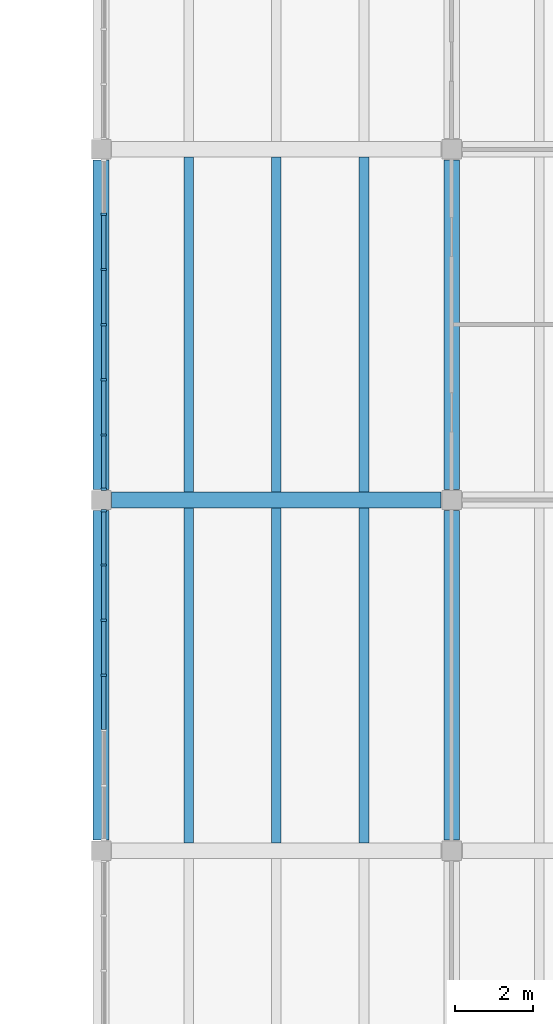
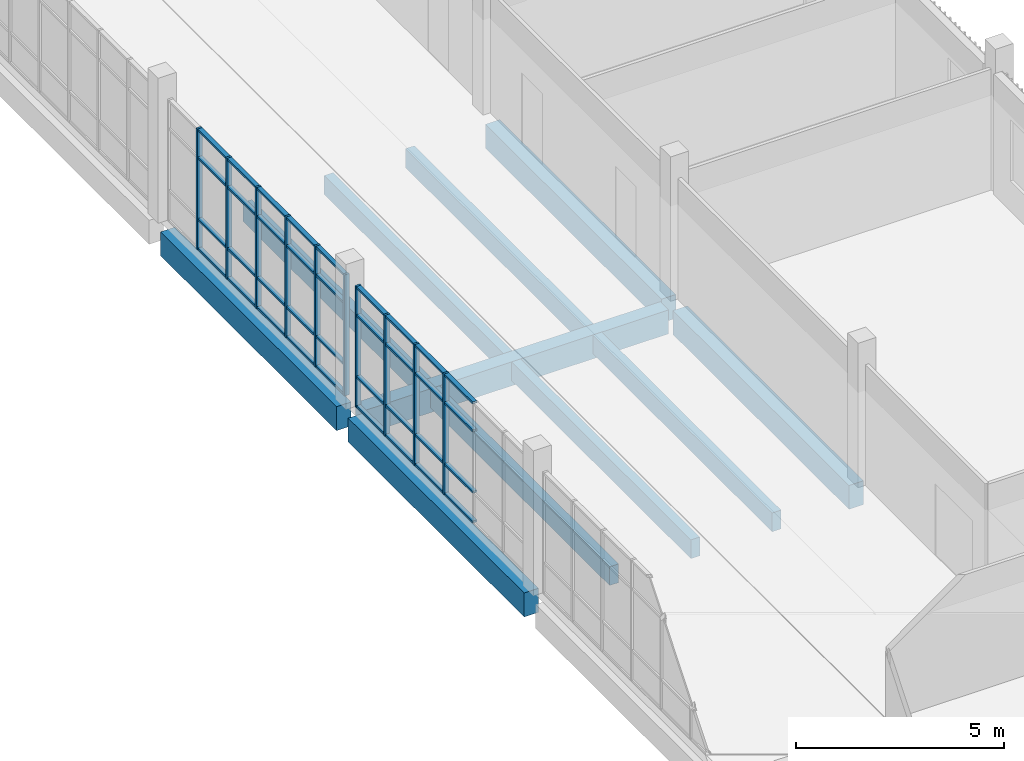
# One storey, part 17 of 92: 46 members, 11 beams, 2 elements without a shape of their own.
"""IFC4 building model written with IfcOpenShell, lengths in metres."""

from ifc_helpers import new_model, si_unit, direction, frame, origin, origin_2d, place, context, subcontext, project, spatial, rectangle, extrude, material, material_profile, profile_set, type_object, element, aggregate, save


model = new_model("IFC4")

# Units and contexts
model_context = context("Model", 3, precision=1e-05, world=origin(), true_north=direction((0.0, 1.0)))
body_context = subcontext(model_context, "Body", "Model", "MODEL_VIEW")
ifc_project = project(units=[si_unit("LENGTHUNIT", "METRE"), si_unit("AREAUNIT", "SQUARE_METRE"), si_unit("VOLUMEUNIT", "CUBIC_METRE"), si_unit("PLANEANGLEUNIT", "RADIAN"), si_unit("MASSUNIT", "GRAM", prefix="KILO")], contexts=[model_context])

# Site, building, storey
site_placement = place(None, origin())
site = spatial("IfcSite", under=ifc_project, at=site_placement, CompositionType="ELEMENT")
building_placement = place(site_placement, origin())
building = spatial("IfcBuilding", under=site, at=building_placement, Name="Merrow Basin Faculty of Sciences", CompositionType="ELEMENT")
storey_placement = place(building_placement, frame((0.0, 0.0, 4.5)))
storey = spatial("IfcBuildingStorey", under=building, at=storey_placement, Name="L01", CompositionType="ELEMENT", Elevation=4.5)

# Curtain wall, members
ifc_material_1 = material(Name="Aluminium alloy 6063", Category="aluminium")
curtain_wall_type = type_object("IfcCurtainWallType", Name="Court curtain wall 140", PredefinedType="NOTDEFINED", material=ifc_material_1)
curtain_wall_1_placement = place(storey_placement, origin())
curtain_wall_1 = element("IfcCurtainWall", 1, at=curtain_wall_1_placement, inside=storey, type_object=curtain_wall_type, Name="Court curtain wall L01 3", PredefinedType="NOTDEFINED")
ifc_material_2 = material(Name="Aluminium alloy 6063", Category="aluminium")
ifc_material_profile_1 = material_profile(ifc_material_2, rectangle(XDim=0.139892578125, YDim=0.06005859375, at=origin_2d()))
ifc_profile_set_1 = profile_set([ifc_material_profile_1], Name="Aluminium alloy 6063")
member_type_1 = type_object("IfcMemberType", Name="Aluminium mullion 60x140", PredefinedType="MULLION", material=ifc_profile_set_1)
member_1_placement = place(storey_placement, frame((54.070068359375, 83.5, 0.0), z_axis=(0.0, 0.0, 1.0), x_axis=(-1.0, 0.0, 0.0)))
member_1 = element("IfcMember", 2, at=member_1_placement, type_object=member_type_1, Name="CW8 mullion 4", PredefinedType="MULLION", context=body_context, shape_type="SweptSolid", body=[
    extrude(rectangle(XDim=0.139892578125, YDim=0.06005859375, at=origin_2d()), origin(), (0.0, 0.0, 1.0), 3.550048828125),
])
member_2_placement = place(storey_placement, frame((54.070068359375, 84.916748046875, 0.0), z_axis=(0.0, 0.0, 1.0), x_axis=(-1.0, 0.0, 0.0)))
member_2 = element("IfcMember", 3, at=member_2_placement, type_object=member_type_1, Name="CW8 mullion 5", PredefinedType="MULLION", context=body_context, shape_type="SweptSolid", body=[
    extrude(rectangle(XDim=0.139892578125, YDim=0.06005859375, at=origin_2d()), origin(), (0.0, 0.0, 1.0), 3.550048828125),
])
member_3_placement = place(storey_placement, frame((54.070068359375, 86.333251953125, 0.0), z_axis=(0.0, 0.0, 1.0), x_axis=(-1.0, 0.0, 0.0)))
member_3 = element("IfcMember", 4, at=member_3_placement, type_object=member_type_1, Name="CW8 mullion 6", PredefinedType="MULLION", context=body_context, shape_type="SweptSolid", body=[
    extrude(rectangle(XDim=0.139892578125, YDim=0.06005859375, at=origin_2d()), origin(), (0.0, 0.0, 1.0), 3.550048828125),
])
member_4_placement = place(storey_placement, frame((54.070068359375, 87.719970703125, 0.0), z_axis=(0.0, 0.0, 1.0), x_axis=(-1.0, 0.0, 0.0)))
member_4 = element("IfcMember", 5, at=member_4_placement, type_object=member_type_1, Name="CW8 mullion 7", PredefinedType="MULLION", context=body_context, shape_type="SweptSolid", body=[
    extrude(rectangle(XDim=0.139892578125, YDim=0.06005859375, at=origin_2d()), origin(), (0.0, 0.0, 1.0), 3.550048828125),
])

curtain_wall_2_placement = place(storey_placement, origin())
curtain_wall_2 = element("IfcCurtainWall", 6, at=curtain_wall_2_placement, inside=storey, type_object=curtain_wall_type, Name="Court curtain wall L01 4", PredefinedType="NOTDEFINED")
member_5_placement = place(storey_placement, frame((54.070068359375, 88.280029296875, 0.0), z_axis=(0.0, 0.0, 1.0), x_axis=(-1.0, 0.0, 0.0)))
member_5 = element("IfcMember", 7, at=member_5_placement, type_object=member_type_1, Name="CW8 mullion 1", PredefinedType="MULLION", context=body_context, shape_type="SweptSolid", body=[
    extrude(rectangle(XDim=0.139892578125, YDim=0.06005859375, at=origin_2d()), origin(), (0.0, 0.0, 1.0), 3.550048828125),
])
member_6_placement = place(storey_placement, frame((54.070068359375, 89.666748046875, 0.0), z_axis=(0.0, 0.0, 1.0), x_axis=(-1.0, 0.0, 0.0)))
member_6 = element("IfcMember", 8, at=member_6_placement, type_object=member_type_1, Name="CW8 mullion 2", PredefinedType="MULLION", context=body_context, shape_type="SweptSolid", body=[
    extrude(rectangle(XDim=0.139892578125, YDim=0.06005859375, at=origin_2d()), origin(), (0.0, 0.0, 1.0), 3.550048828125),
])
member_7_placement = place(storey_placement, frame((54.070068359375, 91.083251953125, 0.0), z_axis=(0.0, 0.0, 1.0), x_axis=(-1.0, 0.0, 0.0)))
member_7 = element("IfcMember", 9, at=member_7_placement, type_object=member_type_1, Name="CW8 mullion 3", PredefinedType="MULLION", context=body_context, shape_type="SweptSolid", body=[
    extrude(rectangle(XDim=0.139892578125, YDim=0.06005859375, at=origin_2d()), origin(), (0.0, 0.0, 1.0), 3.550048828125),
])
member_8_placement = place(storey_placement, frame((54.070068359375, 92.5, 0.0), z_axis=(0.0, 0.0, 1.0), x_axis=(-1.0, 0.0, 0.0)))
member_8 = element("IfcMember", 10, at=member_8_placement, type_object=member_type_1, Name="CW8 mullion 4", PredefinedType="MULLION", context=body_context, shape_type="SweptSolid", body=[
    extrude(rectangle(XDim=0.139892578125, YDim=0.06005859375, at=origin_2d()), origin(), (0.0, 0.0, 1.0), 3.550048828125),
])
member_9_placement = place(storey_placement, frame((54.070068359375, 93.916748046875, 0.0), z_axis=(0.0, 0.0, 1.0), x_axis=(-1.0, 0.0, 0.0)))
member_9 = element("IfcMember", 11, at=member_9_placement, type_object=member_type_1, Name="CW8 mullion 5", PredefinedType="MULLION", context=body_context, shape_type="SweptSolid", body=[
    extrude(rectangle(XDim=0.139892578125, YDim=0.06005859375, at=origin_2d()), origin(), (0.0, 0.0, 1.0), 3.550048828125),
])
member_10_placement = place(storey_placement, frame((54.070068359375, 95.333251953125, 0.0), z_axis=(0.0, 0.0, 1.0), x_axis=(-1.0, 0.0, 0.0)))
member_10 = element("IfcMember", 12, at=member_10_placement, type_object=member_type_1, Name="CW8 mullion 6", PredefinedType="MULLION", context=body_context, shape_type="SweptSolid", body=[
    extrude(rectangle(XDim=0.139892578125, YDim=0.06005859375, at=origin_2d()), origin(), (0.0, 0.0, 1.0), 3.550048828125),
])

# Member
ifc_material_3 = material(Name="Aluminium alloy 6063", Category="aluminium")
ifc_material_profile_2 = material_profile(ifc_material_3, rectangle(XDim=0.1201171875, YDim=0.06005859375, at=origin_2d()))
ifc_profile_set_2 = profile_set([ifc_material_profile_2], Name="Aluminium alloy 6063")
member_type_2 = type_object("IfcMemberType", Name="Aluminium transom 60x120", PredefinedType="USERDEFINED", material=ifc_profile_set_2)
member_11_placement = place(storey_placement, frame((54.070068359375, 82.11328125, 0.030029296875), z_axis=(0.0, 1.0, 0.0), x_axis=(-1.0, 0.0, 0.0)))
member_11 = element("IfcMember", 13, at=member_11_placement, type_object=member_type_2, Name="CW8 transom 3.1", ObjectType="TRANSOM", PredefinedType="USERDEFINED", context=body_context, shape_type="SweptSolid", body=[
    extrude(rectangle(XDim=0.1201171875, YDim=0.06005859375, at=origin_2d()), origin(), (0.0, 0.0, 1.0), 1.356689453125),
])

member_12_placement = place(storey_placement, frame((54.070068359375, 82.11328125, 0.89990234375), z_axis=(0.0, 1.0, 0.0), x_axis=(-1.0, 0.0, 0.0)))
member_12 = element("IfcMember", 14, at=member_12_placement, type_object=member_type_2, Name="CW8 transom 3.2", ObjectType="TRANSOM", PredefinedType="USERDEFINED", context=body_context, shape_type="SweptSolid", body=[
    extrude(rectangle(XDim=0.1201171875, YDim=0.06005859375, at=origin_2d()), origin(), (0.0, 0.0, 1.0), 1.356689453125),
])

member_13_placement = place(storey_placement, frame((54.070068359375, 82.11328125, 2.699951171875), z_axis=(0.0, 1.0, 0.0), x_axis=(-1.0, 0.0, 0.0)))
member_13 = element("IfcMember", 15, at=member_13_placement, type_object=member_type_2, Name="CW8 transom 3.3", ObjectType="TRANSOM", PredefinedType="USERDEFINED", context=body_context, shape_type="SweptSolid", body=[
    extrude(rectangle(XDim=0.1201171875, YDim=0.06005859375, at=origin_2d()), origin(), (0.0, 0.0, 1.0), 1.356689453125),
])

member_14_placement = place(storey_placement, frame((54.070068359375, 82.11328125, 3.52001953125), z_axis=(0.0, 1.0, 0.0), x_axis=(-1.0, 0.0, 0.0)))
member_14 = element("IfcMember", 16, at=member_14_placement, type_object=member_type_2, Name="CW8 transom 3.4", ObjectType="TRANSOM", PredefinedType="USERDEFINED", context=body_context, shape_type="SweptSolid", body=[
    extrude(rectangle(XDim=0.1201171875, YDim=0.06005859375, at=origin_2d()), origin(), (0.0, 0.0, 1.0), 1.356689453125),
])

member_15_placement = place(storey_placement, frame((54.070068359375, 83.530029296875, 0.030029296875), z_axis=(0.0, 1.0, 0.0), x_axis=(-1.0, 0.0, 0.0)))
member_15 = element("IfcMember", 17, at=member_15_placement, type_object=member_type_2, Name="CW8 transom 4.1", ObjectType="TRANSOM", PredefinedType="USERDEFINED", context=body_context, shape_type="SweptSolid", body=[
    extrude(rectangle(XDim=0.1201171875, YDim=0.06005859375, at=origin_2d()), origin(), (0.0, 0.0, 1.0), 1.356689453125),
])

member_16_placement = place(storey_placement, frame((54.070068359375, 83.530029296875, 0.89990234375), z_axis=(0.0, 1.0, 0.0), x_axis=(-1.0, 0.0, 0.0)))
member_16 = element("IfcMember", 18, at=member_16_placement, type_object=member_type_2, Name="CW8 transom 4.2", ObjectType="TRANSOM", PredefinedType="USERDEFINED", context=body_context, shape_type="SweptSolid", body=[
    extrude(rectangle(XDim=0.1201171875, YDim=0.06005859375, at=origin_2d()), origin(), (0.0, 0.0, 1.0), 1.356689453125),
])

member_17_placement = place(storey_placement, frame((54.070068359375, 83.530029296875, 2.699951171875), z_axis=(0.0, 1.0, 0.0), x_axis=(-1.0, 0.0, 0.0)))
member_17 = element("IfcMember", 19, at=member_17_placement, type_object=member_type_2, Name="CW8 transom 4.3", ObjectType="TRANSOM", PredefinedType="USERDEFINED", context=body_context, shape_type="SweptSolid", body=[
    extrude(rectangle(XDim=0.1201171875, YDim=0.06005859375, at=origin_2d()), origin(), (0.0, 0.0, 1.0), 1.356689453125),
])

member_18_placement = place(storey_placement, frame((54.070068359375, 83.530029296875, 3.52001953125), z_axis=(0.0, 1.0, 0.0), x_axis=(-1.0, 0.0, 0.0)))
member_18 = element("IfcMember", 20, at=member_18_placement, type_object=member_type_2, Name="CW8 transom 4.4", ObjectType="TRANSOM", PredefinedType="USERDEFINED", context=body_context, shape_type="SweptSolid", body=[
    extrude(rectangle(XDim=0.1201171875, YDim=0.06005859375, at=origin_2d()), origin(), (0.0, 0.0, 1.0), 1.356689453125),
])

member_19_placement = place(storey_placement, frame((54.070068359375, 84.94677734375, 0.030029296875), z_axis=(0.0, 1.0, 0.0), x_axis=(-1.0, 0.0, 0.0)))
member_19 = element("IfcMember", 21, at=member_19_placement, type_object=member_type_2, Name="CW8 transom 5.1", ObjectType="TRANSOM", PredefinedType="USERDEFINED", context=body_context, shape_type="SweptSolid", body=[
    extrude(rectangle(XDim=0.1201171875, YDim=0.06005859375, at=origin_2d()), origin(), (0.0, 0.0, 1.0), 1.3564453125),
])

member_20_placement = place(storey_placement, frame((54.070068359375, 84.94677734375, 0.89990234375), z_axis=(0.0, 1.0, 0.0), x_axis=(-1.0, 0.0, 0.0)))
member_20 = element("IfcMember", 22, at=member_20_placement, type_object=member_type_2, Name="CW8 transom 5.2", ObjectType="TRANSOM", PredefinedType="USERDEFINED", context=body_context, shape_type="SweptSolid", body=[
    extrude(rectangle(XDim=0.1201171875, YDim=0.06005859375, at=origin_2d()), origin(), (0.0, 0.0, 1.0), 1.3564453125),
])

member_21_placement = place(storey_placement, frame((54.070068359375, 84.94677734375, 2.699951171875), z_axis=(0.0, 1.0, 0.0), x_axis=(-1.0, 0.0, 0.0)))
member_21 = element("IfcMember", 23, at=member_21_placement, type_object=member_type_2, Name="CW8 transom 5.3", ObjectType="TRANSOM", PredefinedType="USERDEFINED", context=body_context, shape_type="SweptSolid", body=[
    extrude(rectangle(XDim=0.1201171875, YDim=0.06005859375, at=origin_2d()), origin(), (0.0, 0.0, 1.0), 1.3564453125),
])

member_22_placement = place(storey_placement, frame((54.070068359375, 84.94677734375, 3.52001953125), z_axis=(0.0, 1.0, 0.0), x_axis=(-1.0, 0.0, 0.0)))
member_22 = element("IfcMember", 24, at=member_22_placement, type_object=member_type_2, Name="CW8 transom 5.4", ObjectType="TRANSOM", PredefinedType="USERDEFINED", context=body_context, shape_type="SweptSolid", body=[
    extrude(rectangle(XDim=0.1201171875, YDim=0.06005859375, at=origin_2d()), origin(), (0.0, 0.0, 1.0), 1.3564453125),
])

member_23_placement = place(storey_placement, frame((54.070068359375, 86.36328125, 0.030029296875), z_axis=(0.0, 1.0, 0.0), x_axis=(-1.0, 0.0, 0.0)))
member_23 = element("IfcMember", 25, at=member_23_placement, type_object=member_type_2, Name="CW8 transom 6.1", ObjectType="TRANSOM", PredefinedType="USERDEFINED", context=body_context, shape_type="SweptSolid", body=[
    extrude(rectangle(XDim=0.1201171875, YDim=0.06005859375, at=origin_2d()), origin(), (0.0, 0.0, 1.0), 1.32666015625),
])

member_24_placement = place(storey_placement, frame((54.070068359375, 86.36328125, 0.89990234375), z_axis=(0.0, 1.0, 0.0), x_axis=(-1.0, 0.0, 0.0)))
member_24 = element("IfcMember", 26, at=member_24_placement, type_object=member_type_2, Name="CW8 transom 6.2", ObjectType="TRANSOM", PredefinedType="USERDEFINED", context=body_context, shape_type="SweptSolid", body=[
    extrude(rectangle(XDim=0.1201171875, YDim=0.06005859375, at=origin_2d()), origin(), (0.0, 0.0, 1.0), 1.32666015625),
])

member_25_placement = place(storey_placement, frame((54.070068359375, 86.36328125, 2.699951171875), z_axis=(0.0, 1.0, 0.0), x_axis=(-1.0, 0.0, 0.0)))
member_25 = element("IfcMember", 27, at=member_25_placement, type_object=member_type_2, Name="CW8 transom 6.3", ObjectType="TRANSOM", PredefinedType="USERDEFINED", context=body_context, shape_type="SweptSolid", body=[
    extrude(rectangle(XDim=0.1201171875, YDim=0.06005859375, at=origin_2d()), origin(), (0.0, 0.0, 1.0), 1.32666015625),
])

member_26_placement = place(storey_placement, frame((54.070068359375, 86.36328125, 3.52001953125), z_axis=(0.0, 1.0, 0.0), x_axis=(-1.0, 0.0, 0.0)))
member_26 = element("IfcMember", 28, at=member_26_placement, type_object=member_type_2, Name="CW8 transom 6.4", ObjectType="TRANSOM", PredefinedType="USERDEFINED", context=body_context, shape_type="SweptSolid", body=[
    extrude(rectangle(XDim=0.1201171875, YDim=0.06005859375, at=origin_2d()), origin(), (0.0, 0.0, 1.0), 1.32666015625),
])

aggregate(curtain_wall_1, [member_1, member_2, member_3, member_4, member_11, member_12, member_13, member_14, member_15, member_16, member_17, member_18, member_19, member_20, member_21, member_22, member_23, member_24, member_25, member_26])

member_27_placement = place(storey_placement, frame((54.070068359375, 88.31005859375, 0.030029296875), z_axis=(0.0, 1.0, 0.0), x_axis=(-1.0, 0.0, 0.0)))
member_27 = element("IfcMember", 29, at=member_27_placement, type_object=member_type_2, Name="CW8 transom 1.1", ObjectType="TRANSOM", PredefinedType="USERDEFINED", context=body_context, shape_type="SweptSolid", body=[
    extrude(rectangle(XDim=0.1201171875, YDim=0.06005859375, at=origin_2d()), origin(), (0.0, 0.0, 1.0), 1.32666015625),
])

member_28_placement = place(storey_placement, frame((54.070068359375, 88.31005859375, 0.89990234375), z_axis=(0.0, 1.0, 0.0), x_axis=(-1.0, 0.0, 0.0)))
member_28 = element("IfcMember", 30, at=member_28_placement, type_object=member_type_2, Name="CW8 transom 1.2", ObjectType="TRANSOM", PredefinedType="USERDEFINED", context=body_context, shape_type="SweptSolid", body=[
    extrude(rectangle(XDim=0.1201171875, YDim=0.06005859375, at=origin_2d()), origin(), (0.0, 0.0, 1.0), 1.32666015625),
])

member_29_placement = place(storey_placement, frame((54.070068359375, 88.31005859375, 2.699951171875), z_axis=(0.0, 1.0, 0.0), x_axis=(-1.0, 0.0, 0.0)))
member_29 = element("IfcMember", 31, at=member_29_placement, type_object=member_type_2, Name="CW8 transom 1.3", ObjectType="TRANSOM", PredefinedType="USERDEFINED", context=body_context, shape_type="SweptSolid", body=[
    extrude(rectangle(XDim=0.1201171875, YDim=0.06005859375, at=origin_2d()), origin(), (0.0, 0.0, 1.0), 1.32666015625),
])

member_30_placement = place(storey_placement, frame((54.070068359375, 88.31005859375, 3.52001953125), z_axis=(0.0, 1.0, 0.0), x_axis=(-1.0, 0.0, 0.0)))
member_30 = element("IfcMember", 32, at=member_30_placement, type_object=member_type_2, Name="CW8 transom 1.4", ObjectType="TRANSOM", PredefinedType="USERDEFINED", context=body_context, shape_type="SweptSolid", body=[
    extrude(rectangle(XDim=0.1201171875, YDim=0.06005859375, at=origin_2d()), origin(), (0.0, 0.0, 1.0), 1.32666015625),
])

member_31_placement = place(storey_placement, frame((54.070068359375, 89.69677734375, 0.030029296875), z_axis=(0.0, 1.0, 0.0), x_axis=(-1.0, 0.0, 0.0)))
member_31 = element("IfcMember", 33, at=member_31_placement, type_object=member_type_2, Name="CW8 transom 2.1", ObjectType="TRANSOM", PredefinedType="USERDEFINED", context=body_context, shape_type="SweptSolid", body=[
    extrude(rectangle(XDim=0.1201171875, YDim=0.06005859375, at=origin_2d()), origin(), (0.0, 0.0, 1.0), 1.3564453125),
])

member_32_placement = place(storey_placement, frame((54.070068359375, 89.69677734375, 0.89990234375), z_axis=(0.0, 1.0, 0.0), x_axis=(-1.0, 0.0, 0.0)))
member_32 = element("IfcMember", 34, at=member_32_placement, type_object=member_type_2, Name="CW8 transom 2.2", ObjectType="TRANSOM", PredefinedType="USERDEFINED", context=body_context, shape_type="SweptSolid", body=[
    extrude(rectangle(XDim=0.1201171875, YDim=0.06005859375, at=origin_2d()), origin(), (0.0, 0.0, 1.0), 1.3564453125),
])

member_33_placement = place(storey_placement, frame((54.070068359375, 89.69677734375, 2.699951171875), z_axis=(0.0, 1.0, 0.0), x_axis=(-1.0, 0.0, 0.0)))
member_33 = element("IfcMember", 35, at=member_33_placement, type_object=member_type_2, Name="CW8 transom 2.3", ObjectType="TRANSOM", PredefinedType="USERDEFINED", context=body_context, shape_type="SweptSolid", body=[
    extrude(rectangle(XDim=0.1201171875, YDim=0.06005859375, at=origin_2d()), origin(), (0.0, 0.0, 1.0), 1.3564453125),
])

member_34_placement = place(storey_placement, frame((54.070068359375, 89.69677734375, 3.52001953125), z_axis=(0.0, 1.0, 0.0), x_axis=(-1.0, 0.0, 0.0)))
member_34 = element("IfcMember", 36, at=member_34_placement, type_object=member_type_2, Name="CW8 transom 2.4", ObjectType="TRANSOM", PredefinedType="USERDEFINED", context=body_context, shape_type="SweptSolid", body=[
    extrude(rectangle(XDim=0.1201171875, YDim=0.06005859375, at=origin_2d()), origin(), (0.0, 0.0, 1.0), 1.3564453125),
])

member_35_placement = place(storey_placement, frame((54.070068359375, 91.11328125, 0.030029296875), z_axis=(0.0, 1.0, 0.0), x_axis=(-1.0, 0.0, 0.0)))
member_35 = element("IfcMember", 37, at=member_35_placement, type_object=member_type_2, Name="CW8 transom 3.1", ObjectType="TRANSOM", PredefinedType="USERDEFINED", context=body_context, shape_type="SweptSolid", body=[
    extrude(rectangle(XDim=0.1201171875, YDim=0.06005859375, at=origin_2d()), origin(), (0.0, 0.0, 1.0), 1.356689453125),
])

member_36_placement = place(storey_placement, frame((54.070068359375, 91.11328125, 0.89990234375), z_axis=(0.0, 1.0, 0.0), x_axis=(-1.0, 0.0, 0.0)))
member_36 = element("IfcMember", 38, at=member_36_placement, type_object=member_type_2, Name="CW8 transom 3.2", ObjectType="TRANSOM", PredefinedType="USERDEFINED", context=body_context, shape_type="SweptSolid", body=[
    extrude(rectangle(XDim=0.1201171875, YDim=0.06005859375, at=origin_2d()), origin(), (0.0, 0.0, 1.0), 1.356689453125),
])

member_37_placement = place(storey_placement, frame((54.070068359375, 91.11328125, 2.699951171875), z_axis=(0.0, 1.0, 0.0), x_axis=(-1.0, 0.0, 0.0)))
member_37 = element("IfcMember", 39, at=member_37_placement, type_object=member_type_2, Name="CW8 transom 3.3", ObjectType="TRANSOM", PredefinedType="USERDEFINED", context=body_context, shape_type="SweptSolid", body=[
    extrude(rectangle(XDim=0.1201171875, YDim=0.06005859375, at=origin_2d()), origin(), (0.0, 0.0, 1.0), 1.356689453125),
])

member_38_placement = place(storey_placement, frame((54.070068359375, 91.11328125, 3.52001953125), z_axis=(0.0, 1.0, 0.0), x_axis=(-1.0, 0.0, 0.0)))
member_38 = element("IfcMember", 40, at=member_38_placement, type_object=member_type_2, Name="CW8 transom 3.4", ObjectType="TRANSOM", PredefinedType="USERDEFINED", context=body_context, shape_type="SweptSolid", body=[
    extrude(rectangle(XDim=0.1201171875, YDim=0.06005859375, at=origin_2d()), origin(), (0.0, 0.0, 1.0), 1.356689453125),
])

member_39_placement = place(storey_placement, frame((54.070068359375, 92.530029296875, 0.030029296875), z_axis=(0.0, 1.0, 0.0), x_axis=(-1.0, 0.0, 0.0)))
member_39 = element("IfcMember", 41, at=member_39_placement, type_object=member_type_2, Name="CW8 transom 4.1", ObjectType="TRANSOM", PredefinedType="USERDEFINED", context=body_context, shape_type="SweptSolid", body=[
    extrude(rectangle(XDim=0.1201171875, YDim=0.06005859375, at=origin_2d()), origin(), (0.0, 0.0, 1.0), 1.356689453125),
])

member_40_placement = place(storey_placement, frame((54.070068359375, 92.530029296875, 0.89990234375), z_axis=(0.0, 1.0, 0.0), x_axis=(-1.0, 0.0, 0.0)))
member_40 = element("IfcMember", 42, at=member_40_placement, type_object=member_type_2, Name="CW8 transom 4.2", ObjectType="TRANSOM", PredefinedType="USERDEFINED", context=body_context, shape_type="SweptSolid", body=[
    extrude(rectangle(XDim=0.1201171875, YDim=0.06005859375, at=origin_2d()), origin(), (0.0, 0.0, 1.0), 1.356689453125),
])

member_41_placement = place(storey_placement, frame((54.070068359375, 92.530029296875, 2.699951171875), z_axis=(0.0, 1.0, 0.0), x_axis=(-1.0, 0.0, 0.0)))
member_41 = element("IfcMember", 43, at=member_41_placement, type_object=member_type_2, Name="CW8 transom 4.3", ObjectType="TRANSOM", PredefinedType="USERDEFINED", context=body_context, shape_type="SweptSolid", body=[
    extrude(rectangle(XDim=0.1201171875, YDim=0.06005859375, at=origin_2d()), origin(), (0.0, 0.0, 1.0), 1.356689453125),
])

member_42_placement = place(storey_placement, frame((54.070068359375, 92.530029296875, 3.52001953125), z_axis=(0.0, 1.0, 0.0), x_axis=(-1.0, 0.0, 0.0)))
member_42 = element("IfcMember", 44, at=member_42_placement, type_object=member_type_2, Name="CW8 transom 4.4", ObjectType="TRANSOM", PredefinedType="USERDEFINED", context=body_context, shape_type="SweptSolid", body=[
    extrude(rectangle(XDim=0.1201171875, YDim=0.06005859375, at=origin_2d()), origin(), (0.0, 0.0, 1.0), 1.356689453125),
])

member_43_placement = place(storey_placement, frame((54.070068359375, 93.94677734375, 0.030029296875), z_axis=(0.0, 1.0, 0.0), x_axis=(-1.0, 0.0, 0.0)))
member_43 = element("IfcMember", 45, at=member_43_placement, type_object=member_type_2, Name="CW8 transom 5.1", ObjectType="TRANSOM", PredefinedType="USERDEFINED", context=body_context, shape_type="SweptSolid", body=[
    extrude(rectangle(XDim=0.1201171875, YDim=0.06005859375, at=origin_2d()), origin(), (0.0, 0.0, 1.0), 1.3564453125),
])

member_44_placement = place(storey_placement, frame((54.070068359375, 93.94677734375, 0.89990234375), z_axis=(0.0, 1.0, 0.0), x_axis=(-1.0, 0.0, 0.0)))
member_44 = element("IfcMember", 46, at=member_44_placement, type_object=member_type_2, Name="CW8 transom 5.2", ObjectType="TRANSOM", PredefinedType="USERDEFINED", context=body_context, shape_type="SweptSolid", body=[
    extrude(rectangle(XDim=0.1201171875, YDim=0.06005859375, at=origin_2d()), origin(), (0.0, 0.0, 1.0), 1.3564453125),
])

member_45_placement = place(storey_placement, frame((54.070068359375, 93.94677734375, 2.699951171875), z_axis=(0.0, 1.0, 0.0), x_axis=(-1.0, 0.0, 0.0)))
member_45 = element("IfcMember", 47, at=member_45_placement, type_object=member_type_2, Name="CW8 transom 5.3", ObjectType="TRANSOM", PredefinedType="USERDEFINED", context=body_context, shape_type="SweptSolid", body=[
    extrude(rectangle(XDim=0.1201171875, YDim=0.06005859375, at=origin_2d()), origin(), (0.0, 0.0, 1.0), 1.3564453125),
])

member_46_placement = place(storey_placement, frame((54.070068359375, 93.94677734375, 3.52001953125), z_axis=(0.0, 1.0, 0.0), x_axis=(-1.0, 0.0, 0.0)))
member_46 = element("IfcMember", 48, at=member_46_placement, type_object=member_type_2, Name="CW8 transom 5.4", ObjectType="TRANSOM", PredefinedType="USERDEFINED", context=body_context, shape_type="SweptSolid", body=[
    extrude(rectangle(XDim=0.1201171875, YDim=0.06005859375, at=origin_2d()), origin(), (0.0, 0.0, 1.0), 1.3564453125),
])

aggregate(curtain_wall_2, [member_5, member_6, member_7, member_8, member_9, member_10, member_27, member_28, member_29, member_30, member_31, member_32, member_33, member_34, member_35, member_36, member_37, member_38, member_39, member_40, member_41, member_42, member_43, member_44, member_45, member_46])

# Beams
ifc_material_4 = material(Name="Concrete C40/50", Category="concrete")
ifc_material_profile_3 = material_profile(ifc_material_4, rectangle(XDim=0.39990234375, YDim=0.699951171875, at=origin_2d()))
ifc_profile_set_3 = profile_set([ifc_material_profile_3], Name="Concrete C40/50")
beam_type_1 = type_object("IfcBeamType", Name="Beam RC400x700 C40/50", PredefinedType="BEAM", material=ifc_profile_set_3)
for number, where, z_axis, x_axis, name in (
    (49, (54.27490234375, 88.0, -0.60009765625), (1.0, 0.0, 0.0), (0.0, 1.0, 0.0), "B3 L01 005"),
    (50, (54.0, 79.27490234375, -0.60009765625), (0.0, 1.0, 0.0), (-1.0, 0.0, 0.0), "B3 L01 026"),
    (51, (54.0, 88.27490234375, -0.60009765625), (0.0, 1.0, 0.0), (-1.0, 0.0, 0.0), "B3 L01 027"),
    (52, (63.0, 79.27490234375, -0.60009765625), (0.0, 1.0, 0.0), (-1.0, 0.0, 0.0), "B3 L01 033"),
    (53, (63.0, 88.27490234375, -0.60009765625), (0.0, 1.0, 0.0), (-1.0, 0.0, 0.0), "B3 L01 034"),
):
    element("IfcBeam", number, at=place(storey_placement, frame(where, z_axis=z_axis, x_axis=x_axis)), inside=storey, type_object=beam_type_1, Name=name, PredefinedType="BEAM", context=body_context, shape_type="SweptSolid", body=[
        extrude(rectangle(XDim=0.39990234375, YDim=0.699951171875, at=origin_2d()), origin(), (0.0, 0.0, 1.0), 8.4501953125),
    ])
ifc_material_5 = material(Name="Concrete C40/50", Category="concrete")
ifc_material_profile_4 = material_profile(ifc_material_5, rectangle(XDim=0.25, YDim=0.550048828125, at=origin_2d()))
ifc_profile_set_4 = profile_set([ifc_material_profile_4], Name="Concrete C40/50")
beam_type_2 = type_object("IfcBeamType", Name="Commons floor joist RC250x550 C40/50", PredefinedType="BEAM", material=ifc_profile_set_4)
for number, where, z_axis, x_axis, name in (
    (54, (56.25, 79.199951171875, -0.52490234375), (0.0, 1.0, 0.0), (-1.0, 0.0, 0.0), "JC1 L01 066"),
    (55, (58.5, 79.199951171875, -0.52490234375), (0.0, 1.0, 0.0), (-1.0, 0.0, 0.0), "JC1 L01 067"),
    (56, (60.75, 79.199951171875, -0.52490234375), (0.0, 1.0, 0.0), (-1.0, 0.0, 0.0), "JC1 L01 068"),
    (57, (56.25, 88.199951171875, -0.52490234375), (0.0, 1.0, 0.0), (-1.0, 0.0, 0.0), "JC1 L01 069"),
    (58, (58.5, 88.199951171875, -0.52490234375), (0.0, 1.0, 0.0), (-1.0, 0.0, 0.0), "JC1 L01 070"),
    (59, (60.75, 88.199951171875, -0.52490234375), (0.0, 1.0, 0.0), (-1.0, 0.0, 0.0), "JC1 L01 071"),
):
    element("IfcBeam", number, at=place(storey_placement, frame(where, z_axis=z_axis, x_axis=x_axis)), inside=storey, type_object=beam_type_2, Name=name, PredefinedType="BEAM", context=body_context, shape_type="SweptSolid", body=[
        extrude(rectangle(XDim=0.25, YDim=0.550048828125, at=origin_2d()), origin(), (0.0, 0.0, 1.0), 8.60009765625),
    ])

save(model, "model.ifc")
